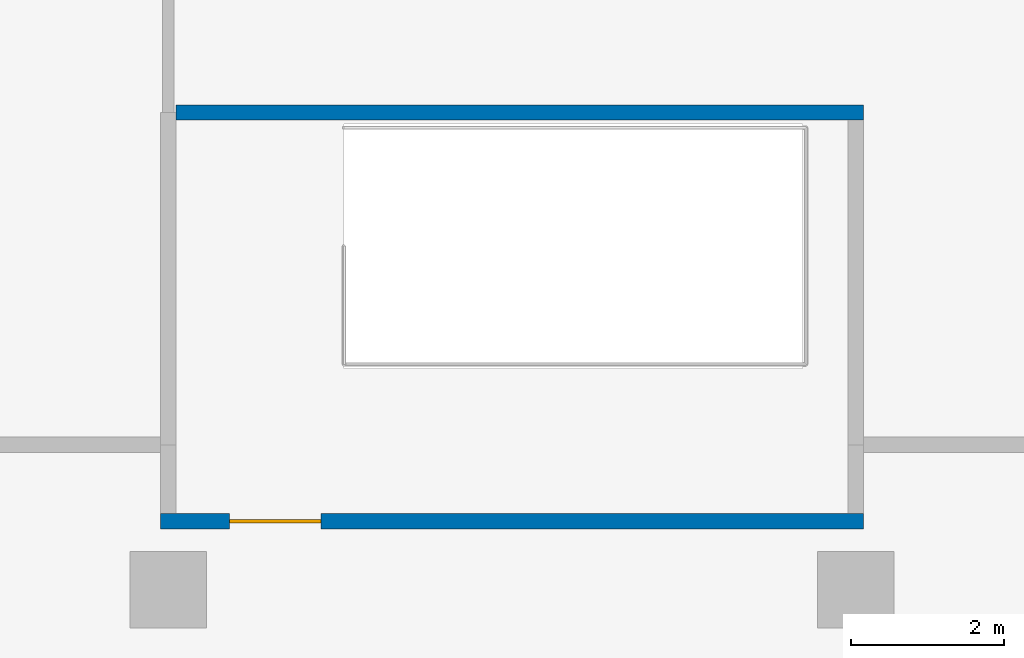
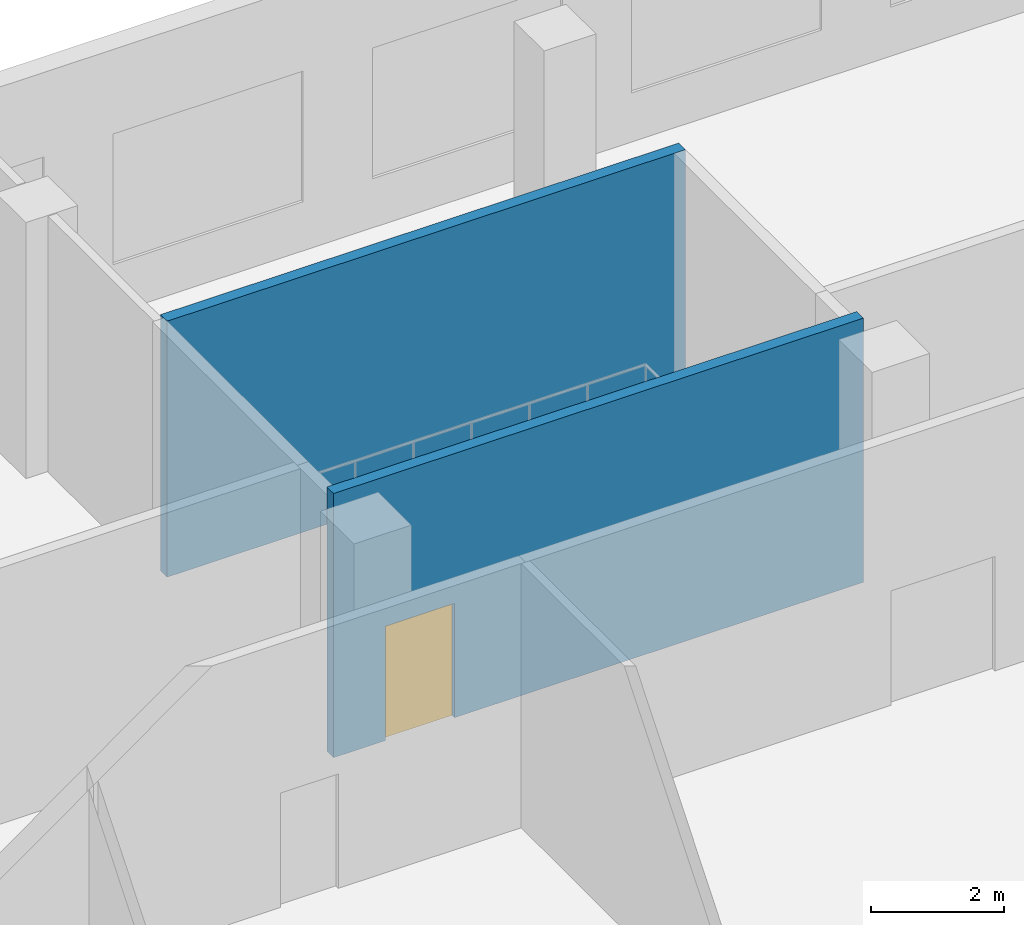
# One storey, part 12 of 20: 2 walls, 1 door, 1 opening.
"""IFC4 building model written with IfcOpenShell, lengths in metres."""

import ifcopenshell
import ifcopenshell.guid

model = None  # the IFC model being written
_history = None  # IfcOwnerHistory: only IFC2X3 demands one
_inside = {}  # id of a spatial element -> (the spatial element, [elements in it])
_under = {}  # id of a project, library or spatial element -> (it, [spatial elements below it])
_declared = {}  # id of a project -> (the project, [libraries it declares])
_typed = {}  # id of a type object -> (the type object, [elements of that type])
_made_of = {}  # id of a material, layer set ... -> (it, [elements and type objects made of it])


def new_model(schema):
    """Start an empty IFC model of exactly this schema.

    Asked for "IFC4X3", IfcOpenShell would pick the latest addendum, in which some entities
    have other attributes; the version numbers below select the first issue.
    IFC2X3 requires an IfcOwnerHistory on every rooted entity: one is made here for all.
    """
    global model, _history
    if schema == "IFC4X3":
        model = ifcopenshell.file(schema_version=(4, 3, 0, 0))
    else:
        model = ifcopenshell.file(schema=schema)
    _inside.clear()
    _under.clear()
    _declared.clear()
    _typed.clear()
    _made_of.clear()
    _history = None
    if model.schema == "IFC2X3":
        org = make("IfcOrganization", Name="unknown")
        user = make(
            "IfcPersonAndOrganization",
            ThePerson=make("IfcPerson", FamilyName="unknown"),
            TheOrganization=org,
        )
        app = make(
            "IfcApplication",
            ApplicationDeveloper=org,
            Version="unknown",
            ApplicationFullName="unknown",
            ApplicationIdentifier="unknown",
        )
        _history = make(
            "IfcOwnerHistory",
            OwningUser=user,
            OwningApplication=app,
            ChangeAction="ADDED",
            CreationDate=0,
        )
    return model


def make(cls, **values):
    """One entity of the class cls with the attributes given. An attribute that is None is left unset."""
    return model.create_entity(
        cls, **{name: value for name, value in values.items() if value is not None}
    )


def rooted(cls, **values):
    """An entity with a GlobalId (a new one), such as an element, a storey or a relation."""
    return make(cls, GlobalId=ifcopenshell.guid.new(), OwnerHistory=_history, **values)


def si_unit(unit_type, name, prefix=None):
    """IfcSIUnit, for example si_unit("LENGTHUNIT", "METRE", prefix="MILLI")."""
    return make("IfcSIUnit", UnitType=unit_type, Prefix=prefix, Name=name)


def assignment(units):
    """IfcUnitAssignment: the units of a project."""
    return None if units is None else make("IfcUnitAssignment", Units=units)


def point(xyz):
    """IfcCartesianPoint."""
    return None if xyz is None else make("IfcCartesianPoint", Coordinates=xyz)


def direction(xyz):
    """IfcDirection."""
    return None if xyz is None else make("IfcDirection", DirectionRatios=xyz)


def frame(location, z_axis=None, x_axis=None):
    """IfcAxis2Placement3D, a coordinate frame: its origin and axes. An axis left out is left unset."""
    return make(
        "IfcAxis2Placement3D",
        Location=point(location),
        Axis=direction(z_axis),
        RefDirection=direction(x_axis),
    )


def frame_2d(location, x_axis=None):
    """IfcAxis2Placement2D, a coordinate frame in the plane: its origin and x axis."""
    return make(
        "IfcAxis2Placement2D", Location=point(location), RefDirection=direction(x_axis)
    )


def origin():
    """The frame at (0, 0, 0) with its axes left unset."""
    return frame((0.0, 0.0, 0.0))


def place(relative_to, where):
    """IfcLocalPlacement: puts the frame where relative to a parent placement (None: the world)."""
    return make(
        "IfcLocalPlacement", PlacementRelTo=relative_to, RelativePlacement=where
    )


def context(
    kind, dimensions, precision=None, world=None, true_north=None, identifier=None
):
    """IfcGeometricRepresentationContext, for example the 3D "Model" context."""
    return make(
        "IfcGeometricRepresentationContext",
        ContextIdentifier=identifier,
        ContextType=kind,
        CoordinateSpaceDimension=dimensions,
        Precision=precision,
        WorldCoordinateSystem=world,
        TrueNorth=true_north,
    )


def subcontext(parent, identifier, kind, view, scale=None):
    """IfcGeometricRepresentationSubContext, for example "Body" below "Model"."""
    return make(
        "IfcGeometricRepresentationSubContext",
        ContextIdentifier=identifier,
        ContextType=kind,
        ParentContext=parent,
        TargetScale=scale,
        TargetView=view,
    )


def project(units=None, contexts=None):
    """IfcProject with its units and contexts."""
    return rooted(
        "IfcProject",
        Name="project",
        RepresentationContexts=contexts,
        UnitsInContext=assignment(units),
    )


def spatial(cls, under=None, at=None, **own):
    """A site, building, storey or space (cls), placed at a placement, below another one or the project."""
    s = rooted(cls, ObjectPlacement=at, **own)
    if under is not None:
        _under.setdefault(under.id(), (under, []))[1].append(s)
    return s


def profile(cls, at=None, kind="AREA", **sizes):
    """A parametric profile (cls). Its sizes go by their IFC names, for example OverallWidth=200.0."""
    return make(cls, ProfileType=kind, Position=at, **sizes)


def rectangle(**sizes):
    """IfcRectangleProfileDef."""
    return profile("IfcRectangleProfileDef", **sizes)


def extrude(swept, where, along, depth):
    """IfcExtrudedAreaSolid: the profile swept, set in the frame where, extruded along a direction by depth."""
    return make(
        "IfcExtrudedAreaSolid",
        SweptArea=swept,
        Position=where,
        ExtrudedDirection=direction(along),
        Depth=depth,
    )


def shape(context_of_items, identifier, shape_type, items):
    """IfcShapeRepresentation: the items that make up one representation, for example the "Body"."""
    return make(
        "IfcShapeRepresentation",
        ContextOfItems=context_of_items,
        RepresentationIdentifier=identifier,
        RepresentationType=shape_type,
        Items=items,
    )


def material(Name=None, Category=None):
    """IfcMaterial."""
    return make("IfcMaterial", Name=Name, Category=Category)


def layer(
    of_material, thickness, ventilated=None, Name=None, Category=None, Priority=None
):
    """IfcMaterialLayer: one layer of a wall or slab, of a material (None: an air gap)."""
    return make(
        "IfcMaterialLayer",
        Material=of_material,
        LayerThickness=thickness,
        IsVentilated=ventilated,
        Name=Name,
        Category=Category,
        Priority=Priority,
    )


def layer_set(layers, Name=None):
    """IfcMaterialLayerSet."""
    return make("IfcMaterialLayerSet", MaterialLayers=layers, LayerSetName=Name)


def made_of(thing, what):
    """Note that an element or type object is made of a material, layer set ...; save() writes the relation."""
    if what is not None:
        _made_of.setdefault(what.id(), (what, []))[1].append(thing)
    return thing


def type_object(cls, material=None, **own):
    """A type object (cls), such as IfcWallType, which elements share."""
    return made_of(rooted(cls, **own), material)


def element(
    cls,
    number,
    at=None,
    inside=None,
    cuts=None,
    type_object=None,
    material=None,
    context=None,
    identifier="Body",
    shape_type=None,
    held_by="IfcProductDefinitionShape",
    body=None,
    shapes=None,
    **own,
):
    """One element of the class cls, such as IfcWall. Its Tag is "e" and its number.

    at: its placement. inside: the storey or other place that contains it. cuts: it is an
    opening in that element (IfcRelVoidsElement). A single representation is given by context,
    identifier, shape_type and body (its items); several are given by shapes. held_by: the class
    of the entity that holds the representations. save() writes the other relations.
    """
    e = rooted(cls, Tag="e%d" % number, ObjectPlacement=at, **own)
    if body is not None:
        shapes = [shape(context, identifier, shape_type, body)]
    if shapes is not None:
        e.Representation = make(held_by, Representations=shapes)
    if inside is not None:
        _inside.setdefault(inside.id(), (inside, []))[1].append(e)
    if cuts is not None:
        rooted(
            "IfcRelVoidsElement", RelatingBuildingElement=cuts, RelatedOpeningElement=e
        )
    if type_object is not None:
        _typed.setdefault(type_object.id(), (type_object, []))[1].append(e)
    return made_of(e, material)


def fill(opening, filler):
    """IfcRelFillsElement: the door or window that sits in an opening."""
    return rooted(
        "IfcRelFillsElement",
        RelatingOpeningElement=opening,
        RelatedBuildingElement=filler,
    )


def aggregate(whole, parts):
    """IfcRelAggregates: a whole, such as a stair, and the parts it consists of."""
    return rooted("IfcRelAggregates", RelatingObject=whole, RelatedObjects=parts)


def save(model, path):
    """Write the relations noted so far, then the file.

    IfcRelAggregates (storeys below a building ...), IfcRelContainedInSpatialStructure (elements
    in a storey), IfcRelDefinesByType, IfcRelAssociatesMaterial and IfcRelDeclares: one each for
    every whole, place, type object, material and project.
    """
    for whole, parts in _under.values():
        aggregate(whole, parts)
    for where, things in _inside.values():
        rooted(
            "IfcRelContainedInSpatialStructure",
            RelatedElements=things,
            RelatingStructure=where,
        )
    for kind, things in _typed.values():
        rooted("IfcRelDefinesByType", RelatedObjects=things, RelatingType=kind)
    for what, things in _made_of.values():
        rooted("IfcRelAssociatesMaterial", RelatedObjects=things, RelatingMaterial=what)
    for by, libraries in _declared.values():
        rooted("IfcRelDeclares", RelatingContext=by, RelatedDefinitions=libraries)
    model.write(path)


model = new_model("IFC4")

# Units and contexts
model_context = context("Model", 3, precision=1e-05, world=origin(), true_north=direction((0.0, 1.0)))
body_context = subcontext(model_context, "Body", "Model", "MODEL_VIEW")
ifc_project = project(units=[si_unit("LENGTHUNIT", "METRE"), si_unit("AREAUNIT", "SQUARE_METRE"), si_unit("VOLUMEUNIT", "CUBIC_METRE"), si_unit("PLANEANGLEUNIT", "RADIAN"), si_unit("MASSUNIT", "GRAM", prefix="KILO")], contexts=[model_context])

# Site, building, storey
site_placement = place(None, origin())
site = spatial("IfcSite", under=ifc_project, at=site_placement, CompositionType="ELEMENT")
building_placement = place(site_placement, origin())
building = spatial("IfcBuilding", under=site, at=building_placement, Name="Cinnabar Reach Civic Tower", CompositionType="ELEMENT")
storey_placement = place(building_placement, frame((0.0, 0.0, 21.0)))
storey = spatial("IfcBuildingStorey", under=building, at=storey_placement, Name="L04", CompositionType="ELEMENT", Elevation=21.0)

# Wall, opening, door
ifc_material_1 = material(Name="Concrete C40", Category="concrete")
ifc_layer = layer(ifc_material_1, 0.2)
ifc_layer_set = layer_set([ifc_layer], Name="Podium stair shaft wall 200 EI 120")
wall_type = type_object("IfcWallType", Name="Podium stair shaft wall 200 EI 120", PredefinedType="SOLIDWALL", material=ifc_layer_set)
wall_1_placement = place(storey_placement, frame((35.9, 45.0, 0.0), z_axis=(0.0, 0.0, 1.0), x_axis=(1.0, 0.0, 0.0)))
wall_1 = element("IfcWall", 1, at=wall_1_placement, inside=storey, type_object=wall_type, Name="Wall L04 23", PredefinedType="SOLIDWALL", context=body_context, shape_type="SweptSolid", body=[
    extrude(rectangle(XDim=9.2, YDim=0.2, at=frame_2d((4.6, 0.0))), origin(), (0.0, 0.0, 1.0), 4.85),
])
opening_placement = place(wall_1_placement, frame((0.9, 0.0, 0.0)))
opening = element("IfcOpeningElement", 2, at=opening_placement, cuts=wall_1, Name="Opening D1280", PredefinedType="OPENING", context=body_context, shape_type="SweptSolid", body=[
    extrude(rectangle(XDim=1.2, YDim=2.1, at=frame_2d((0.6, 1.05))), frame((0.0, 0.11, 0.0), z_axis=(0.0, -1.0, 0.0), x_axis=(1.0, 0.0, 0.0)), (0.0, 0.0, 1.0), 0.22),
])
ifc_material_2 = material(Name="Painted steel door leaf", Category="steel")
door_type = type_object("IfcDoorType", Name="Podium single door 1200x2100", OperationType="SINGLE_SWING_LEFT", PredefinedType="DOOR", material=ifc_material_2)
door_placement = place(opening_placement, origin())
door = element("IfcDoor", 3, at=door_placement, inside=storey, type_object=door_type, Name="Door D1280", OperationType="SINGLE_SWING_RIGHT", OverallHeight=2.1, OverallWidth=1.2, PredefinedType="DOOR", context=body_context, shape_type="SweptSolid", body=[
    extrude(rectangle(XDim=1.2, YDim=2.1, at=frame_2d((0.6, 1.05))), frame((0.0, 0.025, 0.0), z_axis=(0.0, -1.0, 0.0), x_axis=(1.0, 0.0, 0.0)), (0.0, 0.0, 1.0), 0.05),
])
fill(opening, door)

# Wall
wall_2_placement = place(storey_placement, frame((36.1, 50.35, 0.0), z_axis=(0.0, 0.0, 1.0), x_axis=(1.0, 0.0, 0.0)))
element("IfcWall", 4, at=wall_2_placement, inside=storey, type_object=wall_type, Name="Wall L04 25", PredefinedType="SOLIDWALL", context=body_context, shape_type="SweptSolid", body=[
    extrude(rectangle(XDim=9.0, YDim=0.2, at=frame_2d((4.5, 0.0))), origin(), (0.0, 0.0, 1.0), 4.7),
])

save(model, "model.ifc")
